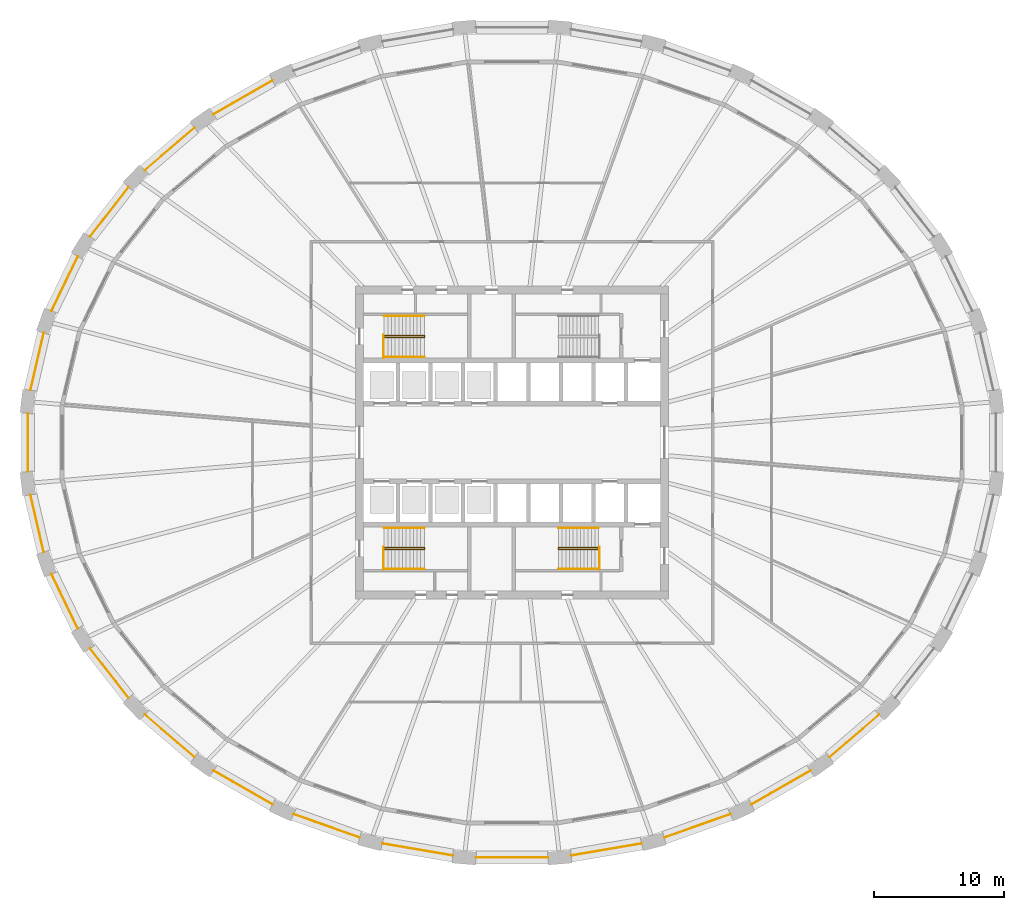
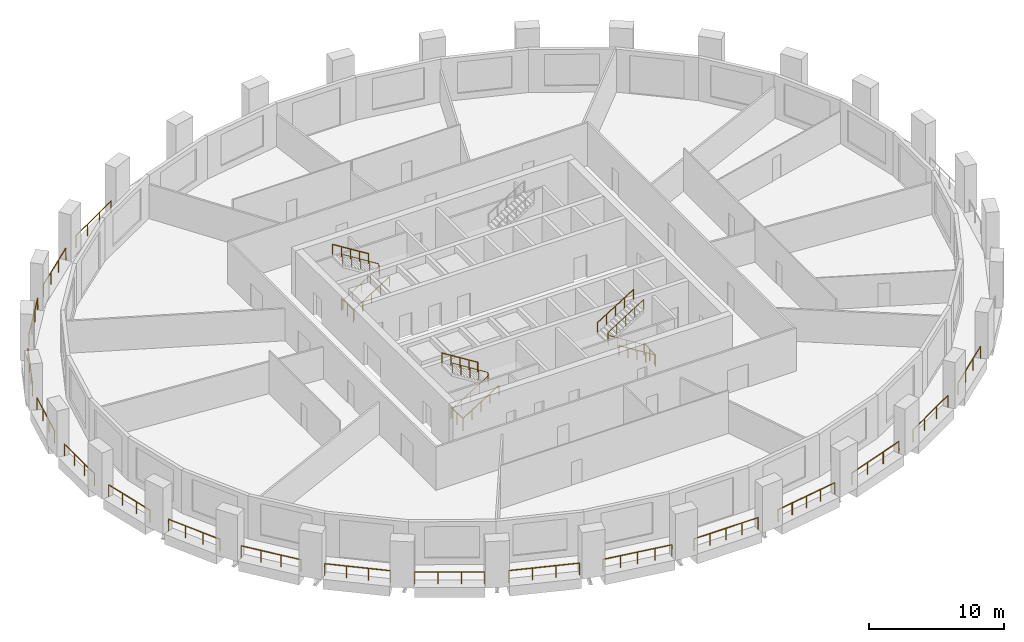
# One storey, part 8 of 10: 30 railings.
"""IFC4 building model written with IfcOpenShell, lengths in metres."""

import ifcopenshell
import ifcopenshell.guid

model = None  # the IFC model being written
_history = None  # IfcOwnerHistory: only IFC2X3 demands one
_inside = {}  # id of a spatial element -> (the spatial element, [elements in it])
_under = {}  # id of a project, library or spatial element -> (it, [spatial elements below it])
_declared = {}  # id of a project -> (the project, [libraries it declares])
_typed = {}  # id of a type object -> (the type object, [elements of that type])
_made_of = {}  # id of a material, layer set ... -> (it, [elements and type objects made of it])


def new_model(schema):
    """Start an empty IFC model of exactly this schema.

    Asked for "IFC4X3", IfcOpenShell would pick the latest addendum, in which some entities
    have other attributes; the version numbers below select the first issue.
    IFC2X3 requires an IfcOwnerHistory on every rooted entity: one is made here for all.
    """
    global model, _history
    if schema == "IFC4X3":
        model = ifcopenshell.file(schema_version=(4, 3, 0, 0))
    else:
        model = ifcopenshell.file(schema=schema)
    _inside.clear()
    _under.clear()
    _declared.clear()
    _typed.clear()
    _made_of.clear()
    _history = None
    if model.schema == "IFC2X3":
        org = make("IfcOrganization", Name="unknown")
        user = make(
            "IfcPersonAndOrganization",
            ThePerson=make("IfcPerson", FamilyName="unknown"),
            TheOrganization=org,
        )
        app = make(
            "IfcApplication",
            ApplicationDeveloper=org,
            Version="unknown",
            ApplicationFullName="unknown",
            ApplicationIdentifier="unknown",
        )
        _history = make(
            "IfcOwnerHistory",
            OwningUser=user,
            OwningApplication=app,
            ChangeAction="ADDED",
            CreationDate=0,
        )
    return model


def make(cls, **values):
    """One entity of the class cls with the attributes given. An attribute that is None is left unset."""
    return model.create_entity(
        cls, **{name: value for name, value in values.items() if value is not None}
    )


def rooted(cls, **values):
    """An entity with a GlobalId (a new one), such as an element, a storey or a relation."""
    return make(cls, GlobalId=ifcopenshell.guid.new(), OwnerHistory=_history, **values)


def si_unit(unit_type, name, prefix=None):
    """IfcSIUnit, for example si_unit("LENGTHUNIT", "METRE", prefix="MILLI")."""
    return make("IfcSIUnit", UnitType=unit_type, Prefix=prefix, Name=name)


def assignment(units):
    """IfcUnitAssignment: the units of a project."""
    return None if units is None else make("IfcUnitAssignment", Units=units)


def point(xyz):
    """IfcCartesianPoint."""
    return None if xyz is None else make("IfcCartesianPoint", Coordinates=xyz)


def direction(xyz):
    """IfcDirection."""
    return None if xyz is None else make("IfcDirection", DirectionRatios=xyz)


def frame(location, z_axis=None, x_axis=None):
    """IfcAxis2Placement3D, a coordinate frame: its origin and axes. An axis left out is left unset."""
    return make(
        "IfcAxis2Placement3D",
        Location=point(location),
        Axis=direction(z_axis),
        RefDirection=direction(x_axis),
    )


def frame_2d(location, x_axis=None):
    """IfcAxis2Placement2D, a coordinate frame in the plane: its origin and x axis."""
    return make(
        "IfcAxis2Placement2D", Location=point(location), RefDirection=direction(x_axis)
    )


def origin():
    """The frame at (0, 0, 0) with its axes left unset."""
    return frame((0.0, 0.0, 0.0))


def origin_2d():
    """The frame at (0, 0) in the plane with its x axis left unset."""
    return frame_2d((0.0, 0.0))


def place(relative_to, where):
    """IfcLocalPlacement: puts the frame where relative to a parent placement (None: the world)."""
    return make(
        "IfcLocalPlacement", PlacementRelTo=relative_to, RelativePlacement=where
    )


def context(
    kind, dimensions, precision=None, world=None, true_north=None, identifier=None
):
    """IfcGeometricRepresentationContext, for example the 3D "Model" context."""
    return make(
        "IfcGeometricRepresentationContext",
        ContextIdentifier=identifier,
        ContextType=kind,
        CoordinateSpaceDimension=dimensions,
        Precision=precision,
        WorldCoordinateSystem=world,
        TrueNorth=true_north,
    )


def subcontext(parent, identifier, kind, view, scale=None):
    """IfcGeometricRepresentationSubContext, for example "Body" below "Model"."""
    return make(
        "IfcGeometricRepresentationSubContext",
        ContextIdentifier=identifier,
        ContextType=kind,
        ParentContext=parent,
        TargetScale=scale,
        TargetView=view,
    )


def project(units=None, contexts=None):
    """IfcProject with its units and contexts."""
    return rooted(
        "IfcProject",
        Name="project",
        RepresentationContexts=contexts,
        UnitsInContext=assignment(units),
    )


def spatial(cls, under=None, at=None, **own):
    """A site, building, storey or space (cls), placed at a placement, below another one or the project."""
    s = rooted(cls, ObjectPlacement=at, **own)
    if under is not None:
        _under.setdefault(under.id(), (under, []))[1].append(s)
    return s


def profile(cls, at=None, kind="AREA", **sizes):
    """A parametric profile (cls). Its sizes go by their IFC names, for example OverallWidth=200.0."""
    return make(cls, ProfileType=kind, Position=at, **sizes)


def circle(**sizes):
    """IfcCircleProfileDef."""
    return profile("IfcCircleProfileDef", **sizes)


def extrude(swept, where, along, depth):
    """IfcExtrudedAreaSolid: the profile swept, set in the frame where, extruded along a direction by depth."""
    return make(
        "IfcExtrudedAreaSolid",
        SweptArea=swept,
        Position=where,
        ExtrudedDirection=direction(along),
        Depth=depth,
    )


def shape(context_of_items, identifier, shape_type, items):
    """IfcShapeRepresentation: the items that make up one representation, for example the "Body"."""
    return make(
        "IfcShapeRepresentation",
        ContextOfItems=context_of_items,
        RepresentationIdentifier=identifier,
        RepresentationType=shape_type,
        Items=items,
    )


def material(Name=None, Category=None):
    """IfcMaterial."""
    return make("IfcMaterial", Name=Name, Category=Category)


def made_of(thing, what):
    """Note that an element or type object is made of a material, layer set ...; save() writes the relation."""
    if what is not None:
        _made_of.setdefault(what.id(), (what, []))[1].append(thing)
    return thing


def type_object(cls, material=None, **own):
    """A type object (cls), such as IfcWallType, which elements share."""
    return made_of(rooted(cls, **own), material)


def element(
    cls,
    number,
    at=None,
    inside=None,
    cuts=None,
    type_object=None,
    material=None,
    context=None,
    identifier="Body",
    shape_type=None,
    held_by="IfcProductDefinitionShape",
    body=None,
    shapes=None,
    **own,
):
    """One element of the class cls, such as IfcWall. Its Tag is "e" and its number.

    at: its placement. inside: the storey or other place that contains it. cuts: it is an
    opening in that element (IfcRelVoidsElement). A single representation is given by context,
    identifier, shape_type and body (its items); several are given by shapes. held_by: the class
    of the entity that holds the representations. save() writes the other relations.
    """
    e = rooted(cls, Tag="e%d" % number, ObjectPlacement=at, **own)
    if body is not None:
        shapes = [shape(context, identifier, shape_type, body)]
    if shapes is not None:
        e.Representation = make(held_by, Representations=shapes)
    if inside is not None:
        _inside.setdefault(inside.id(), (inside, []))[1].append(e)
    if cuts is not None:
        rooted(
            "IfcRelVoidsElement", RelatingBuildingElement=cuts, RelatedOpeningElement=e
        )
    if type_object is not None:
        _typed.setdefault(type_object.id(), (type_object, []))[1].append(e)
    return made_of(e, material)


def aggregate(whole, parts):
    """IfcRelAggregates: a whole, such as a stair, and the parts it consists of."""
    return rooted("IfcRelAggregates", RelatingObject=whole, RelatedObjects=parts)


def save(model, path):
    """Write the relations noted so far, then the file.

    IfcRelAggregates (storeys below a building ...), IfcRelContainedInSpatialStructure (elements
    in a storey), IfcRelDefinesByType, IfcRelAssociatesMaterial and IfcRelDeclares: one each for
    every whole, place, type object, material and project.
    """
    for whole, parts in _under.values():
        aggregate(whole, parts)
    for where, things in _inside.values():
        rooted(
            "IfcRelContainedInSpatialStructure",
            RelatedElements=things,
            RelatingStructure=where,
        )
    for kind, things in _typed.values():
        rooted("IfcRelDefinesByType", RelatedObjects=things, RelatingType=kind)
    for what, things in _made_of.values():
        rooted("IfcRelAssociatesMaterial", RelatedObjects=things, RelatingMaterial=what)
    for by, libraries in _declared.values():
        rooted("IfcRelDeclares", RelatingContext=by, RelatedDefinitions=libraries)
    model.write(path)


model = new_model("IFC4")

# Units and contexts
model_context = context("Model", 3, precision=1e-05, world=origin(), true_north=direction((0.0, 1.0)))
body_context = subcontext(model_context, "Body", "Model", "MODEL_VIEW")
ifc_project = project(units=[si_unit("LENGTHUNIT", "METRE"), si_unit("AREAUNIT", "SQUARE_METRE"), si_unit("VOLUMEUNIT", "CUBIC_METRE"), si_unit("PLANEANGLEUNIT", "RADIAN"), si_unit("MASSUNIT", "GRAM", prefix="KILO")], contexts=[model_context])

# Site, building, storey
site_placement = place(None, origin())
site = spatial("IfcSite", under=ifc_project, at=site_placement, CompositionType="ELEMENT")
building_placement = place(site_placement, origin())
building = spatial("IfcBuilding", under=site, at=building_placement, Name="Halqa Exchange Tower", CompositionType="ELEMENT")
storey_placement = place(building_placement, frame((0.0, 0.0, 52.89990234375)))
storey = spatial("IfcBuildingStorey", under=building, at=storey_placement, Name="L11", CompositionType="ELEMENT", Elevation=52.89990234375)

# Railings
ifc_material = material(Name="Stainless steel", Category="steel")
railing_type_1 = type_object("IfcRailingType", Name="Guard 1100 stainless steel", PredefinedType="GUARDRAIL", material=ifc_material)
railing_1_placement = place(storey_placement, frame((-18.37158203125, 27.760986328125, 0.0)))
element("IfcRailing", 1, at=railing_1_placement, inside=storey, type_object=railing_type_1, Name="Loggia guard 11", PredefinedType="GUARDRAIL", context=body_context, shape_type="SweptSolid", body=[
    extrude(circle(Radius=0.02392578125, at=origin_2d()), frame((0.0, 0.0, 1.076171875), z_axis=(-0.867758186628, -0.496986649258, 0.0), x_axis=(0.496986649258, -0.867758186628, 0.0)), (0.0, 0.0, 1.0), 5.209228515625),
    extrude(circle(Radius=0.02099609375, at=origin_2d()), origin(), (0.0, 0.0, 1.0), 1.052001953125),
    extrude(circle(Radius=0.02099609375, at=origin_2d()), frame((-1.5068359375, -0.863037109375, 0.0)), (0.0, 0.0, 1.0), 1.052001953125),
    extrude(circle(Radius=0.02099609375, at=origin_2d()), frame((-3.013427734375, -1.725830078125, 0.0)), (0.0, 0.0, 1.0), 1.052001953125),
    extrude(circle(Radius=0.02099609375, at=origin_2d()), frame((-4.520263671875, -2.5888671875, 0.0)), (0.0, 0.0, 1.0), 1.052001953125),
])
railing_2_placement = place(storey_placement, frame((-24.356201171875, 24.138916015625, 0.0)))
element("IfcRailing", 2, at=railing_2_placement, inside=storey, type_object=railing_type_1, Name="Loggia guard 12", PredefinedType="GUARDRAIL", context=body_context, shape_type="SweptSolid", body=[
    extrude(circle(Radius=0.02392578125, at=origin_2d()), frame((0.0, 0.0, 1.076171875), z_axis=(-0.759256602365, -0.650791373456, 0.0), x_axis=(0.650791373456, -0.759256602365, 0.0)), (0.0, 0.0, 1.0), 5.0126953125),
    extrude(circle(Radius=0.02099609375, at=origin_2d()), origin(), (0.0, 0.0, 1.0), 1.052001953125),
    extrude(circle(Radius=0.02099609375, at=origin_2d()), frame((-1.2685546875, -1.08740234375, 0.0)), (0.0, 0.0, 1.0), 1.052001953125),
    extrude(circle(Radius=0.02099609375, at=origin_2d()), frame((-2.537353515625, -2.1748046875, 0.0)), (0.0, 0.0, 1.0), 1.052001953125),
    extrude(circle(Radius=0.02099609375, at=origin_2d()), frame((-3.805908203125, -3.26220703125, 0.0)), (0.0, 0.0, 1.0), 1.052001953125),
])
railing_3_placement = place(storey_placement, frame((-29.398681640625, 19.581298828125, 0.0)))
element("IfcRailing", 3, at=railing_3_placement, inside=storey, type_object=railing_type_1, Name="Loggia guard 13", PredefinedType="GUARDRAIL", context=body_context, shape_type="SweptSolid", body=[
    extrude(circle(Radius=0.02392578125, at=origin_2d()), frame((0.0, 0.0, 1.076171875), z_axis=(-0.61480458382, -0.788679480977, 0.0), x_axis=(0.788679480977, -0.61480458382, 0.0)), (0.0, 0.0, 1.0), 4.810546875),
    extrude(circle(Radius=0.02099609375, at=origin_2d()), origin(), (0.0, 0.0, 1.0), 1.052001953125),
    extrude(circle(Radius=0.02099609375, at=origin_2d()), frame((-0.98583984375, -1.2646484375, 0.0)), (0.0, 0.0, 1.0), 1.052001953125),
    extrude(circle(Radius=0.02099609375, at=origin_2d()), frame((-1.9716796875, -2.529296875, 0.0)), (0.0, 0.0, 1.0), 1.052001953125),
    extrude(circle(Radius=0.02099609375, at=origin_2d()), frame((-2.95751953125, -3.7939453125, 0.0)), (0.0, 0.0, 1.0), 1.052001953125),
])
railing_4_placement = place(storey_placement, frame((-33.30126953125, 14.267333984375, 0.0)))
element("IfcRailing", 4, at=railing_4_placement, inside=storey, type_object=railing_type_1, Name="Loggia guard 14", PredefinedType="GUARDRAIL", context=body_context, shape_type="SweptSolid", body=[
    extrude(circle(Radius=0.02392578125, at=origin_2d()), frame((0.0, 0.0, 1.076171875), z_axis=(-0.435096763468, -0.900383699552, 0.0), x_axis=(0.900383699552, -0.435096763468, 0.0)), (0.0, 0.0, 1.0), 4.6337890625),
    extrude(circle(Radius=0.02099609375, at=origin_2d()), origin(), (0.0, 0.0, 1.0), 1.052001953125),
    extrude(circle(Radius=0.02099609375, at=origin_2d()), frame((-0.672119140625, -1.390625, 0.0)), (0.0, 0.0, 1.0), 1.052001953125),
    extrude(circle(Radius=0.02099609375, at=origin_2d()), frame((-1.343994140625, -2.781494140625, 0.0)), (0.0, 0.0, 1.0), 1.052001953125),
    extrude(circle(Radius=0.02099609375, at=origin_2d()), frame((-2.01611328125, -4.172119140625, 0.0)), (0.0, 0.0, 1.0), 1.052001953125),
])
railing_5_placement = place(storey_placement, frame((-35.912353515625, 8.408203125, 0.0)))
element("IfcRailing", 5, at=railing_5_placement, inside=storey, type_object=railing_type_1, Name="Loggia guard 15", PredefinedType="GUARDRAIL", context=body_context, shape_type="SweptSolid", body=[
    extrude(circle(Radius=0.02392578125, at=origin_2d()), frame((0.0, 0.0, 1.076171875), z_axis=(-0.226056381748, -0.974114219315, 0.0), x_axis=(0.974114219315, -0.226056381748, 0.0)), (0.0, 0.0, 1.0), 4.513427734375),
    extrude(circle(Radius=0.02099609375, at=origin_2d()), origin(), (0.0, 0.0, 1.0), 1.052001953125),
    extrude(circle(Radius=0.02099609375, at=origin_2d()), frame((-0.340087890625, -1.465576171875, 0.0)), (0.0, 0.0, 1.0), 1.052001953125),
    extrude(circle(Radius=0.02099609375, at=origin_2d()), frame((-0.68017578125, -2.930908203125, 0.0)), (0.0, 0.0, 1.0), 1.052001953125),
    extrude(circle(Radius=0.02099609375, at=origin_2d()), frame((-1.020263671875, -4.396484375, 0.0)), (0.0, 0.0, 1.0), 1.052001953125),
])
railing_6_placement = place(storey_placement, frame((-37.135986328125, 2.235107421875, 0.0)))
element("IfcRailing", 6, at=railing_6_placement, inside=storey, type_object=railing_type_1, Name="Loggia guard 16", PredefinedType="GUARDRAIL", context=body_context, shape_type="SweptSolid", body=[
    extrude(circle(Radius=0.02392578125, at=origin_2d()), frame((0.0, 0.0, 1.076171875), z_axis=(0.0, -1.0, 0.0), x_axis=(1.0, 0.0, 0.0)), (0.0, 0.0, 1.0), 4.47021484375),
    extrude(circle(Radius=0.02099609375, at=origin_2d()), origin(), (0.0, 0.0, 1.0), 1.052001953125),
    extrude(circle(Radius=0.02099609375, at=origin_2d()), frame((0.0, -1.489990234375, 0.0)), (0.0, 0.0, 1.0), 1.052001953125),
    extrude(circle(Radius=0.02099609375, at=origin_2d()), frame((0.0, -2.980224609375, 0.0)), (0.0, 0.0, 1.0), 1.052001953125),
    extrude(circle(Radius=0.02099609375, at=origin_2d()), frame((0.0, -4.47021484375, 0.0)), (0.0, 0.0, 1.0), 1.052001953125),
])
railing_7_placement = place(storey_placement, frame((-36.9326171875, -4.01171875, 0.0)))
element("IfcRailing", 7, at=railing_7_placement, inside=storey, type_object=railing_type_1, Name="Loggia guard 17", PredefinedType="GUARDRAIL", context=body_context, shape_type="SweptSolid", body=[
    extrude(circle(Radius=0.02392578125, at=origin_2d()), frame((0.0, 0.0, 1.076171875), z_axis=(0.226056381748, -0.974114219315, 0.0), x_axis=(0.974114219315, 0.226056381748, 0.0)), (0.0, 0.0, 1.0), 4.513427734375),
    extrude(circle(Radius=0.02099609375, at=origin_2d()), origin(), (0.0, 0.0, 1.0), 1.052001953125),
    extrude(circle(Radius=0.02099609375, at=origin_2d()), frame((0.340087890625, -1.465576171875, 0.0)), (0.0, 0.0, 1.0), 1.052001953125),
    extrude(circle(Radius=0.02099609375, at=origin_2d()), frame((0.68017578125, -2.930908203125, 0.0)), (0.0, 0.0, 1.0), 1.052001953125),
    extrude(circle(Radius=0.02099609375, at=origin_2d()), frame((1.020263671875, -4.396484375, 0.0)), (0.0, 0.0, 1.0), 1.052001953125),
])
railing_8_placement = place(storey_placement, frame((-35.3173828125, -10.09521484375, 0.0)))
element("IfcRailing", 8, at=railing_8_placement, inside=storey, type_object=railing_type_1, Name="Loggia guard 18", PredefinedType="GUARDRAIL", context=body_context, shape_type="SweptSolid", body=[
    extrude(circle(Radius=0.02392578125, at=origin_2d()), frame((0.0, 0.0, 1.076171875), z_axis=(0.435096763468, -0.900383699552, 0.0), x_axis=(0.900383699552, 0.435096763468, 0.0)), (0.0, 0.0, 1.0), 4.6337890625),
    extrude(circle(Radius=0.02099609375, at=origin_2d()), origin(), (0.0, 0.0, 1.0), 1.052001953125),
    extrude(circle(Radius=0.02099609375, at=origin_2d()), frame((0.672119140625, -1.390625, 0.0)), (0.0, 0.0, 1.0), 1.052001953125),
    extrude(circle(Radius=0.02099609375, at=origin_2d()), frame((1.343994140625, -2.781494140625, 0.0)), (0.0, 0.0, 1.0), 1.052001953125),
    extrude(circle(Radius=0.02099609375, at=origin_2d()), frame((2.01611328125, -4.172119140625, 0.0)), (0.0, 0.0, 1.0), 1.052001953125),
])
railing_9_placement = place(storey_placement, frame((-32.356201171875, -15.787353515625, 0.0)))
element("IfcRailing", 9, at=railing_9_placement, inside=storey, type_object=railing_type_1, Name="Loggia guard 19", PredefinedType="GUARDRAIL", context=body_context, shape_type="SweptSolid", body=[
    extrude(circle(Radius=0.02392578125, at=origin_2d()), frame((0.0, 0.0, 1.076171875), z_axis=(0.61480458382, -0.788679480977, 0.0), x_axis=(0.788679480977, 0.61480458382, 0.0)), (0.0, 0.0, 1.0), 4.810546875),
    extrude(circle(Radius=0.02099609375, at=origin_2d()), origin(), (0.0, 0.0, 1.0), 1.052001953125),
    extrude(circle(Radius=0.02099609375, at=origin_2d()), frame((0.98583984375, -1.2646484375, 0.0)), (0.0, 0.0, 1.0), 1.052001953125),
    extrude(circle(Radius=0.02099609375, at=origin_2d()), frame((1.9716796875, -2.529296875, 0.0)), (0.0, 0.0, 1.0), 1.052001953125),
    extrude(circle(Radius=0.02099609375, at=origin_2d()), frame((2.95751953125, -3.7939453125, 0.0)), (0.0, 0.0, 1.0), 1.052001953125),
])
railing_10_placement = place(storey_placement, frame((-28.162109375, -20.876708984375, 0.0)))
element("IfcRailing", 10, at=railing_10_placement, inside=storey, type_object=railing_type_1, Name="Loggia guard 20", PredefinedType="GUARDRAIL", context=body_context, shape_type="SweptSolid", body=[
    extrude(circle(Radius=0.02392578125, at=origin_2d()), frame((0.0, 0.0, 1.076171875), z_axis=(0.759256602365, -0.650791373456, 0.0), x_axis=(0.650791373456, 0.759256602365, 0.0)), (0.0, 0.0, 1.0), 5.0126953125),
    extrude(circle(Radius=0.02099609375, at=origin_2d()), origin(), (0.0, 0.0, 1.0), 1.052001953125),
    extrude(circle(Radius=0.02099609375, at=origin_2d()), frame((1.2685546875, -1.08740234375, 0.0)), (0.0, 0.0, 1.0), 1.052001953125),
    extrude(circle(Radius=0.02099609375, at=origin_2d()), frame((2.537353515625, -2.1748046875, 0.0)), (0.0, 0.0, 1.0), 1.052001953125),
    extrude(circle(Radius=0.02099609375, at=origin_2d()), frame((3.805908203125, -3.26220703125, 0.0)), (0.0, 0.0, 1.0), 1.052001953125),
])
railing_11_placement = place(storey_placement, frame((-22.891845703125, -25.172119140625, 0.0)))
element("IfcRailing", 11, at=railing_11_placement, inside=storey, type_object=railing_type_1, Name="Loggia guard 21", PredefinedType="GUARDRAIL", context=body_context, shape_type="SweptSolid", body=[
    extrude(circle(Radius=0.02392578125, at=origin_2d()), frame((0.0, 0.0, 1.076171875), z_axis=(0.867758186628, -0.496986649258, 0.0), x_axis=(0.496986649258, 0.867758186628, 0.0)), (0.0, 0.0, 1.0), 5.209228515625),
    extrude(circle(Radius=0.02099609375, at=origin_2d()), origin(), (0.0, 0.0, 1.0), 1.052001953125),
    extrude(circle(Radius=0.02099609375, at=origin_2d()), frame((1.5068359375, -0.863037109375, 0.0)), (0.0, 0.0, 1.0), 1.052001953125),
    extrude(circle(Radius=0.02099609375, at=origin_2d()), frame((3.013427734375, -1.725830078125, 0.0)), (0.0, 0.0, 1.0), 1.052001953125),
    extrude(circle(Radius=0.02099609375, at=origin_2d()), frame((4.520263671875, -2.5888671875, 0.0)), (0.0, 0.0, 1.0), 1.052001953125),
])
railing_12_placement = place(storey_placement, frame((-16.742431640625, -28.509521484375, 0.0)))
element("IfcRailing", 12, at=railing_12_placement, inside=storey, type_object=railing_type_1, Name="Loggia guard 22", PredefinedType="GUARDRAIL", context=body_context, shape_type="SweptSolid", body=[
    extrude(circle(Radius=0.02392578125, at=origin_2d()), frame((0.0, 0.0, 1.076171875), z_axis=(0.942373671262, -0.334562197075, 0.0), x_axis=(0.334562197075, 0.942373671262, 0.0)), (0.0, 0.0, 1.0), 5.37158203125),
    extrude(circle(Radius=0.02099609375, at=origin_2d()), origin(), (0.0, 0.0, 1.0), 1.052001953125),
    extrude(circle(Radius=0.02099609375, at=origin_2d()), frame((1.687255859375, -0.59912109375, 0.0)), (0.0, 0.0, 1.0), 1.052001953125),
    extrude(circle(Radius=0.02099609375, at=origin_2d()), frame((3.374755859375, -1.197998046875, 0.0)), (0.0, 0.0, 1.0), 1.052001953125),
    extrude(circle(Radius=0.02099609375, at=origin_2d()), frame((5.06201171875, -1.797119140625, 0.0)), (0.0, 0.0, 1.0), 1.052001953125),
])
railing_13_placement = place(storey_placement, frame((-9.945068359375, -30.759033203125, 0.0)))
element("IfcRailing", 13, at=railing_13_placement, inside=storey, type_object=railing_type_1, Name="Loggia guard 23", PredefinedType="GUARDRAIL", context=body_context, shape_type="SweptSolid", body=[
    extrude(circle(Radius=0.02392578125, at=origin_2d()), frame((0.0, 0.0, 1.076171875), z_axis=(0.985776430596, -0.168061979284, 0.0), x_axis=(0.168061979284, 0.985776430596, 0.0)), (0.0, 0.0, 1.0), 5.47802734375),
    extrude(circle(Radius=0.02099609375, at=origin_2d()), origin(), (0.0, 0.0, 1.0), 1.052001953125),
    extrude(circle(Radius=0.02099609375, at=origin_2d()), frame((1.35009765625, -0.230224609375, 0.0)), (0.0, 0.0, 1.0), 1.052001953125),
    extrude(circle(Radius=0.02099609375, at=origin_2d()), frame((2.7001953125, -0.46044921875, 0.0)), (0.0, 0.0, 1.0), 1.052001953125),
    extrude(circle(Radius=0.02099609375, at=origin_2d()), frame((4.050048828125, -0.6904296875, 0.0)), (0.0, 0.0, 1.0), 1.052001953125),
    extrude(circle(Radius=0.02099609375, at=origin_2d()), frame((5.400146484375, -0.920654296875, 0.0)), (0.0, 0.0, 1.0), 1.052001953125),
])
railing_14_placement = place(storey_placement, frame((-2.757568359375, -31.8310546875, 0.0)))
element("IfcRailing", 14, at=railing_14_placement, inside=storey, type_object=railing_type_1, Name="Loggia guard 24", PredefinedType="GUARDRAIL", context=body_context, shape_type="SweptSolid", body=[
    extrude(circle(Radius=0.02392578125, at=origin_2d()), frame((0.0, 0.0, 1.076171875), z_axis=(1.0, 0.0, 0.0), x_axis=(0.0, 1.0, 0.0)), (0.0, 0.0, 1.0), 5.51513671875),
    extrude(circle(Radius=0.02099609375, at=origin_2d()), origin(), (0.0, 0.0, 1.0), 1.052001953125),
    extrude(circle(Radius=0.02099609375, at=origin_2d()), frame((1.37890625, 0.0, 0.0)), (0.0, 0.0, 1.0), 1.052001953125),
    extrude(circle(Radius=0.02099609375, at=origin_2d()), frame((2.757568359375, 0.0, 0.0)), (0.0, 0.0, 1.0), 1.052001953125),
    extrude(circle(Radius=0.02099609375, at=origin_2d()), frame((4.13623046875, 0.0, 0.0)), (0.0, 0.0, 1.0), 1.052001953125),
    extrude(circle(Radius=0.02099609375, at=origin_2d()), frame((5.51513671875, 0.0, 0.0)), (0.0, 0.0, 1.0), 1.052001953125),
])
railing_15_placement = place(storey_placement, frame((4.544921875, -31.6796875, 0.0)))
element("IfcRailing", 15, at=railing_15_placement, inside=storey, type_object=railing_type_1, Name="Loggia guard 25", PredefinedType="GUARDRAIL", context=body_context, shape_type="SweptSolid", body=[
    extrude(circle(Radius=0.02392578125, at=origin_2d()), frame((0.0, 0.0, 1.076171875), z_axis=(0.985776430596, 0.168061979284, 0.0), x_axis=(-0.168061979284, 0.985776430596, 0.0)), (0.0, 0.0, 1.0), 5.47802734375),
    extrude(circle(Radius=0.02099609375, at=origin_2d()), origin(), (0.0, 0.0, 1.0), 1.052001953125),
    extrude(circle(Radius=0.02099609375, at=origin_2d()), frame((1.35009765625, 0.230224609375, 0.0)), (0.0, 0.0, 1.0), 1.052001953125),
    extrude(circle(Radius=0.02099609375, at=origin_2d()), frame((2.7001953125, 0.46044921875, 0.0)), (0.0, 0.0, 1.0), 1.052001953125),
    extrude(circle(Radius=0.02099609375, at=origin_2d()), frame((4.050048828125, 0.6904296875, 0.0)), (0.0, 0.0, 1.0), 1.052001953125),
    extrude(circle(Radius=0.02099609375, at=origin_2d()), frame((5.400146484375, 0.920654296875, 0.0)), (0.0, 0.0, 1.0), 1.052001953125),
])
railing_16_placement = place(storey_placement, frame((11.680419921875, -30.306640625, 0.0)))
element("IfcRailing", 16, at=railing_16_placement, inside=storey, type_object=railing_type_1, Name="Loggia guard 26", PredefinedType="GUARDRAIL", context=body_context, shape_type="SweptSolid", body=[
    extrude(circle(Radius=0.02392578125, at=origin_2d()), frame((0.0, 0.0, 1.076171875), z_axis=(0.942373671262, 0.334562197075, 0.0), x_axis=(-0.334562197075, 0.942373671262, 0.0)), (0.0, 0.0, 1.0), 5.37158203125),
    extrude(circle(Radius=0.02099609375, at=origin_2d()), origin(), (0.0, 0.0, 1.0), 1.052001953125),
    extrude(circle(Radius=0.02099609375, at=origin_2d()), frame((1.687255859375, 0.59912109375, 0.0)), (0.0, 0.0, 1.0), 1.052001953125),
    extrude(circle(Radius=0.02099609375, at=origin_2d()), frame((3.374755859375, 1.197998046875, 0.0)), (0.0, 0.0, 1.0), 1.052001953125),
    extrude(circle(Radius=0.02099609375, at=origin_2d()), frame((5.06201171875, 1.797119140625, 0.0)), (0.0, 0.0, 1.0), 1.052001953125),
])
railing_17_placement = place(storey_placement, frame((18.37158203125, -27.760986328125, 0.0)))
element("IfcRailing", 17, at=railing_17_placement, inside=storey, type_object=railing_type_1, Name="Loggia guard 27", PredefinedType="GUARDRAIL", context=body_context, shape_type="SweptSolid", body=[
    extrude(circle(Radius=0.02392578125, at=origin_2d()), frame((0.0, 0.0, 1.076171875), z_axis=(0.867758186628, 0.496986649258, 0.0), x_axis=(-0.496986649258, 0.867758186628, 0.0)), (0.0, 0.0, 1.0), 5.209228515625),
    extrude(circle(Radius=0.02099609375, at=origin_2d()), origin(), (0.0, 0.0, 1.0), 1.052001953125),
    extrude(circle(Radius=0.02099609375, at=origin_2d()), frame((1.5068359375, 0.863037109375, 0.0)), (0.0, 0.0, 1.0), 1.052001953125),
    extrude(circle(Radius=0.02099609375, at=origin_2d()), frame((3.013427734375, 1.725830078125, 0.0)), (0.0, 0.0, 1.0), 1.052001953125),
    extrude(circle(Radius=0.02099609375, at=origin_2d()), frame((4.520263671875, 2.5888671875, 0.0)), (0.0, 0.0, 1.0), 1.052001953125),
])
railing_18_placement = place(storey_placement, frame((24.356201171875, -24.138916015625, 0.0)))
element("IfcRailing", 18, at=railing_18_placement, inside=storey, type_object=railing_type_1, Name="Loggia guard 28", PredefinedType="GUARDRAIL", context=body_context, shape_type="SweptSolid", body=[
    extrude(circle(Radius=0.02392578125, at=origin_2d()), frame((0.0, 0.0, 1.076171875), z_axis=(0.759256602365, 0.650791373456, 0.0), x_axis=(-0.650791373456, 0.759256602365, 0.0)), (0.0, 0.0, 1.0), 5.0126953125),
    extrude(circle(Radius=0.02099609375, at=origin_2d()), origin(), (0.0, 0.0, 1.0), 1.052001953125),
    extrude(circle(Radius=0.02099609375, at=origin_2d()), frame((1.2685546875, 1.08740234375, 0.0)), (0.0, 0.0, 1.0), 1.052001953125),
    extrude(circle(Radius=0.02099609375, at=origin_2d()), frame((2.537353515625, 2.1748046875, 0.0)), (0.0, 0.0, 1.0), 1.052001953125),
    extrude(circle(Radius=0.02099609375, at=origin_2d()), frame((3.805908203125, 3.26220703125, 0.0)), (0.0, 0.0, 1.0), 1.052001953125),
])
railing_type_2 = type_object("IfcRailingType", Name="Stair handrail 900", PredefinedType="HANDRAIL", material=ifc_material)
railing_19_placement = place(storey_placement, frame((-9.800048828125, 8.06005859375, 0.175048828125)))
element("IfcRailing", 19, at=railing_19_placement, inside=storey, type_object=railing_type_2, Name="Handrail ST1.1", PredefinedType="HANDRAIL", context=body_context, shape_type="SweptSolid", body=[
    extrude(circle(Radius=0.02392578125, at=origin_2d()), frame((0.0, 0.0, 0.8759765625), z_axis=(0.847998304005, 0.0, 0.529998940003), x_axis=(0.0, 1.0, 0.0)), (0.0, 0.0, 1.0), 3.632080078125),
    extrude(circle(Radius=0.02392578125, at=origin_2d()), frame((3.080078125, 0.0, 2.80078125), z_axis=(0.0, 0.595870227118, 0.803080738428), x_axis=(-1.0, 0.0, 0.0)), (0.0, 0.0, 1.0), 0.218017578125),
    extrude(circle(Radius=0.02392578125, at=origin_2d()), frame((3.080078125, 0.1298828125, 2.97607421875), z_axis=(-0.847998304005, 0.0, 0.529998940003), x_axis=(0.0, -1.0, 0.0)), (0.0, 0.0, 1.0), 3.632080078125),
    extrude(circle(Radius=0.02099609375, at=origin_2d()), origin(), (0.0, 0.0, 1.0), 0.851806640625),
    extrude(circle(Radius=0.02099609375, at=origin_2d()), frame((0.77001953125, 0.0, 0.481201171875)), (0.0, 0.0, 1.0), 0.851806640625),
    extrude(circle(Radius=0.02099609375, at=origin_2d()), frame((1.5400390625, 0.0, 0.96240234375)), (0.0, 0.0, 1.0), 0.851806640625),
    extrude(circle(Radius=0.02099609375, at=origin_2d()), frame((2.31005859375, 0.0, 1.44384765625)), (0.0, 0.0, 1.0), 0.851806640625),
    extrude(circle(Radius=0.02099609375, at=origin_2d()), frame((3.080078125, 0.0, 1.925048828125)), (0.0, 0.0, 1.0), 0.851806640625),
    extrude(circle(Radius=0.02099609375, at=origin_2d()), frame((3.080078125, 0.1298828125, 2.10009765625)), (0.0, 0.0, 1.0), 0.851806640625),
    extrude(circle(Radius=0.02099609375, at=origin_2d()), frame((2.31005859375, 0.1298828125, 2.581298828125)), (0.0, 0.0, 1.0), 0.851806640625),
    extrude(circle(Radius=0.02099609375, at=origin_2d()), frame((1.5400390625, 0.1298828125, 3.0625)), (0.0, 0.0, 1.0), 0.851806640625),
    extrude(circle(Radius=0.02099609375, at=origin_2d()), frame((0.77001953125, 0.1298828125, 3.5439453125)), (0.0, 0.0, 1.0), 0.851806640625),
    extrude(circle(Radius=0.02099609375, at=origin_2d()), frame((0.0, 0.1298828125, 4.025146484375)), (0.0, 0.0, 1.0), 0.851806640625),
])
railing_20_placement = place(storey_placement, frame((-9.800048828125, 6.550048828125, 0.175048828125)))
element("IfcRailing", 20, at=railing_20_placement, inside=storey, type_object=railing_type_2, Name="Handrail ST1.2", PredefinedType="HANDRAIL", context=body_context, shape_type="SweptSolid", body=[
    extrude(circle(Radius=0.02392578125, at=origin_2d()), frame((0.0, 0.0, 0.8759765625), z_axis=(0.847998304005, 0.0, 0.529998940003), x_axis=(0.0, 1.0, 0.0)), (0.0, 0.0, 1.0), 3.632080078125),
    extrude(circle(Radius=0.02099609375, at=origin_2d()), origin(), (0.0, 0.0, 1.0), 0.851806640625),
    extrude(circle(Radius=0.02099609375, at=origin_2d()), frame((0.77001953125, 0.0, 0.481201171875)), (0.0, 0.0, 1.0), 0.851806640625),
    extrude(circle(Radius=0.02099609375, at=origin_2d()), frame((1.5400390625, 0.0, 0.96240234375)), (0.0, 0.0, 1.0), 0.851806640625),
    extrude(circle(Radius=0.02099609375, at=origin_2d()), frame((2.31005859375, 0.0, 1.44384765625)), (0.0, 0.0, 1.0), 0.851806640625),
    extrude(circle(Radius=0.02099609375, at=origin_2d()), frame((3.080078125, 0.0, 1.925048828125)), (0.0, 0.0, 1.0), 0.851806640625),
])
railing_21_placement = place(storey_placement, frame((-6.719970703125, 9.699951171875, 2.275146484375)))
element("IfcRailing", 21, at=railing_21_placement, inside=storey, type_object=railing_type_2, Name="Handrail ST1.3", PredefinedType="HANDRAIL", context=body_context, shape_type="SweptSolid", body=[
    extrude(circle(Radius=0.02392578125, at=origin_2d()), frame((0.0, 0.0, 0.8759765625), z_axis=(-0.847998304005, 0.0, 0.529998940003), x_axis=(0.0, -1.0, 0.0)), (0.0, 0.0, 1.0), 3.632080078125),
    extrude(circle(Radius=0.02099609375, at=origin_2d()), origin(), (0.0, 0.0, 1.0), 0.851806640625),
    extrude(circle(Radius=0.02099609375, at=origin_2d()), frame((-0.77001953125, 0.0, 0.481201171875)), (0.0, 0.0, 1.0), 0.851806640625),
    extrude(circle(Radius=0.02099609375, at=origin_2d()), frame((-1.5400390625, 0.0, 0.96240234375)), (0.0, 0.0, 1.0), 0.851806640625),
    extrude(circle(Radius=0.02099609375, at=origin_2d()), frame((-2.31005859375, 0.0, 1.44384765625)), (0.0, 0.0, 1.0), 0.851806640625),
    extrude(circle(Radius=0.02099609375, at=origin_2d()), frame((-3.080078125, 0.0, 1.925048828125)), (0.0, 0.0, 1.0), 0.851806640625),
])
railing_22_placement = place(storey_placement, frame((-9.800048828125, -8.18994140625, 0.175048828125)))
element("IfcRailing", 22, at=railing_22_placement, inside=storey, type_object=railing_type_2, Name="Handrail ST3.1", PredefinedType="HANDRAIL", context=body_context, shape_type="SweptSolid", body=[
    extrude(circle(Radius=0.02392578125, at=origin_2d()), frame((0.0, 0.0, 0.8759765625), z_axis=(0.847998304005, 0.0, 0.529998940003), x_axis=(0.0, 1.0, 0.0)), (0.0, 0.0, 1.0), 3.632080078125),
    extrude(circle(Radius=0.02392578125, at=origin_2d()), frame((3.080078125, 0.0, 2.80078125), z_axis=(0.0, 0.595870227118, 0.803080738428), x_axis=(-1.0, 0.0, 0.0)), (0.0, 0.0, 1.0), 0.218017578125),
    extrude(circle(Radius=0.02392578125, at=origin_2d()), frame((3.080078125, 0.1298828125, 2.97607421875), z_axis=(-0.847998304005, 0.0, 0.529998940003), x_axis=(0.0, -1.0, 0.0)), (0.0, 0.0, 1.0), 3.632080078125),
    extrude(circle(Radius=0.02099609375, at=origin_2d()), origin(), (0.0, 0.0, 1.0), 0.851806640625),
    extrude(circle(Radius=0.02099609375, at=origin_2d()), frame((0.77001953125, 0.0, 0.481201171875)), (0.0, 0.0, 1.0), 0.851806640625),
    extrude(circle(Radius=0.02099609375, at=origin_2d()), frame((1.5400390625, 0.0, 0.96240234375)), (0.0, 0.0, 1.0), 0.851806640625),
    extrude(circle(Radius=0.02099609375, at=origin_2d()), frame((2.31005859375, 0.0, 1.44384765625)), (0.0, 0.0, 1.0), 0.851806640625),
    extrude(circle(Radius=0.02099609375, at=origin_2d()), frame((3.080078125, 0.0, 1.925048828125)), (0.0, 0.0, 1.0), 0.851806640625),
    extrude(circle(Radius=0.02099609375, at=origin_2d()), frame((3.080078125, 0.1298828125, 2.10009765625)), (0.0, 0.0, 1.0), 0.851806640625),
    extrude(circle(Radius=0.02099609375, at=origin_2d()), frame((2.31005859375, 0.1298828125, 2.581298828125)), (0.0, 0.0, 1.0), 0.851806640625),
    extrude(circle(Radius=0.02099609375, at=origin_2d()), frame((1.5400390625, 0.1298828125, 3.0625)), (0.0, 0.0, 1.0), 0.851806640625),
    extrude(circle(Radius=0.02099609375, at=origin_2d()), frame((0.77001953125, 0.1298828125, 3.5439453125)), (0.0, 0.0, 1.0), 0.851806640625),
    extrude(circle(Radius=0.02099609375, at=origin_2d()), frame((0.0, 0.1298828125, 4.025146484375)), (0.0, 0.0, 1.0), 0.851806640625),
])
railing_23_placement = place(storey_placement, frame((-9.800048828125, -9.699951171875, 0.175048828125)))
element("IfcRailing", 23, at=railing_23_placement, inside=storey, type_object=railing_type_2, Name="Handrail ST3.2", PredefinedType="HANDRAIL", context=body_context, shape_type="SweptSolid", body=[
    extrude(circle(Radius=0.02392578125, at=origin_2d()), frame((0.0, 0.0, 0.8759765625), z_axis=(0.847998304005, 0.0, 0.529998940003), x_axis=(0.0, 1.0, 0.0)), (0.0, 0.0, 1.0), 3.632080078125),
    extrude(circle(Radius=0.02099609375, at=origin_2d()), origin(), (0.0, 0.0, 1.0), 0.851806640625),
    extrude(circle(Radius=0.02099609375, at=origin_2d()), frame((0.77001953125, 0.0, 0.481201171875)), (0.0, 0.0, 1.0), 0.851806640625),
    extrude(circle(Radius=0.02099609375, at=origin_2d()), frame((1.5400390625, 0.0, 0.96240234375)), (0.0, 0.0, 1.0), 0.851806640625),
    extrude(circle(Radius=0.02099609375, at=origin_2d()), frame((2.31005859375, 0.0, 1.44384765625)), (0.0, 0.0, 1.0), 0.851806640625),
    extrude(circle(Radius=0.02099609375, at=origin_2d()), frame((3.080078125, 0.0, 1.925048828125)), (0.0, 0.0, 1.0), 0.851806640625),
])
railing_24_placement = place(storey_placement, frame((-6.719970703125, -6.550048828125, 2.275146484375)))
element("IfcRailing", 24, at=railing_24_placement, inside=storey, type_object=railing_type_2, Name="Handrail ST3.3", PredefinedType="HANDRAIL", context=body_context, shape_type="SweptSolid", body=[
    extrude(circle(Radius=0.02392578125, at=origin_2d()), frame((0.0, 0.0, 0.8759765625), z_axis=(-0.847998304005, 0.0, 0.529998940003), x_axis=(0.0, -1.0, 0.0)), (0.0, 0.0, 1.0), 3.632080078125),
    extrude(circle(Radius=0.02099609375, at=origin_2d()), origin(), (0.0, 0.0, 1.0), 0.851806640625),
    extrude(circle(Radius=0.02099609375, at=origin_2d()), frame((-0.77001953125, 0.0, 0.481201171875)), (0.0, 0.0, 1.0), 0.851806640625),
    extrude(circle(Radius=0.02099609375, at=origin_2d()), frame((-1.5400390625, 0.0, 0.96240234375)), (0.0, 0.0, 1.0), 0.851806640625),
    extrude(circle(Radius=0.02099609375, at=origin_2d()), frame((-2.31005859375, 0.0, 1.44384765625)), (0.0, 0.0, 1.0), 0.851806640625),
    extrude(circle(Radius=0.02099609375, at=origin_2d()), frame((-3.080078125, 0.0, 1.925048828125)), (0.0, 0.0, 1.0), 0.851806640625),
])
railing_25_placement = place(storey_placement, frame((6.64990234375, -8.18994140625, 0.175048828125)))
element("IfcRailing", 25, at=railing_25_placement, inside=storey, type_object=railing_type_2, Name="Handrail ST4.1", PredefinedType="HANDRAIL", context=body_context, shape_type="SweptSolid", body=[
    extrude(circle(Radius=0.02392578125, at=origin_2d()), frame((0.0, 0.0, 0.8759765625), z_axis=(-0.847979421464, 0.0, 0.530029150871), x_axis=(0.0, -1.0, 0.0)), (0.0, 0.0, 1.0), 3.632080078125),
    extrude(circle(Radius=0.02392578125, at=origin_2d()), frame((-3.079833984375, 0.0, 2.80078125), z_axis=(0.0, 0.595870227118, 0.803080738428), x_axis=(-1.0, 0.0, 0.0)), (0.0, 0.0, 1.0), 0.218017578125),
    extrude(circle(Radius=0.02392578125, at=origin_2d()), frame((-3.079833984375, 0.1298828125, 2.97607421875), z_axis=(0.847979421464, 0.0, 0.530029150871), x_axis=(0.0, 1.0, 0.0)), (0.0, 0.0, 1.0), 3.632080078125),
    extrude(circle(Radius=0.02099609375, at=origin_2d()), origin(), (0.0, 0.0, 1.0), 0.851806640625),
    extrude(circle(Radius=0.02099609375, at=origin_2d()), frame((-0.77001953125, 0.0, 0.481201171875)), (0.0, 0.0, 1.0), 0.851806640625),
    extrude(circle(Radius=0.02099609375, at=origin_2d()), frame((-1.5400390625, 0.0, 0.96240234375)), (0.0, 0.0, 1.0), 0.851806640625),
    extrude(circle(Radius=0.02099609375, at=origin_2d()), frame((-2.309814453125, 0.0, 1.44384765625)), (0.0, 0.0, 1.0), 0.851806640625),
    extrude(circle(Radius=0.02099609375, at=origin_2d()), frame((-3.079833984375, 0.0, 1.925048828125)), (0.0, 0.0, 1.0), 0.851806640625),
    extrude(circle(Radius=0.02099609375, at=origin_2d()), frame((-3.079833984375, 0.1298828125, 2.10009765625)), (0.0, 0.0, 1.0), 0.851806640625),
    extrude(circle(Radius=0.02099609375, at=origin_2d()), frame((-2.309814453125, 0.1298828125, 2.581298828125)), (0.0, 0.0, 1.0), 0.851806640625),
    extrude(circle(Radius=0.02099609375, at=origin_2d()), frame((-1.5400390625, 0.1298828125, 3.0625)), (0.0, 0.0, 1.0), 0.851806640625),
    extrude(circle(Radius=0.02099609375, at=origin_2d()), frame((-0.77001953125, 0.1298828125, 3.5439453125)), (0.0, 0.0, 1.0), 0.851806640625),
    extrude(circle(Radius=0.02099609375, at=origin_2d()), frame((0.0, 0.1298828125, 4.025146484375)), (0.0, 0.0, 1.0), 0.851806640625),
])
railing_26_placement = place(storey_placement, frame((6.64990234375, -9.699951171875, 0.175048828125)))
element("IfcRailing", 26, at=railing_26_placement, inside=storey, type_object=railing_type_2, Name="Handrail ST4.2", PredefinedType="HANDRAIL", context=body_context, shape_type="SweptSolid", body=[
    extrude(circle(Radius=0.02392578125, at=origin_2d()), frame((0.0, 0.0, 0.8759765625), z_axis=(-0.847979421464, 0.0, 0.530029150871), x_axis=(0.0, -1.0, 0.0)), (0.0, 0.0, 1.0), 3.632080078125),
    extrude(circle(Radius=0.02099609375, at=origin_2d()), origin(), (0.0, 0.0, 1.0), 0.851806640625),
    extrude(circle(Radius=0.02099609375, at=origin_2d()), frame((-0.77001953125, 0.0, 0.481201171875)), (0.0, 0.0, 1.0), 0.851806640625),
    extrude(circle(Radius=0.02099609375, at=origin_2d()), frame((-1.5400390625, 0.0, 0.96240234375)), (0.0, 0.0, 1.0), 0.851806640625),
    extrude(circle(Radius=0.02099609375, at=origin_2d()), frame((-2.309814453125, 0.0, 1.44384765625)), (0.0, 0.0, 1.0), 0.851806640625),
    extrude(circle(Radius=0.02099609375, at=origin_2d()), frame((-3.079833984375, 0.0, 1.925048828125)), (0.0, 0.0, 1.0), 0.851806640625),
])
railing_27_placement = place(storey_placement, frame((3.570068359375, -6.550048828125, 2.275146484375)))
element("IfcRailing", 27, at=railing_27_placement, inside=storey, type_object=railing_type_2, Name="Handrail ST4.3", PredefinedType="HANDRAIL", context=body_context, shape_type="SweptSolid", body=[
    extrude(circle(Radius=0.02392578125, at=origin_2d()), frame((0.0, 0.0, 0.8759765625), z_axis=(0.847979421464, 0.0, 0.530029150871), x_axis=(0.0, 1.0, 0.0)), (0.0, 0.0, 1.0), 3.632080078125),
    extrude(circle(Radius=0.02099609375, at=origin_2d()), origin(), (0.0, 0.0, 1.0), 0.851806640625),
    extrude(circle(Radius=0.02099609375, at=origin_2d()), frame((0.77001953125, 0.0, 0.481201171875)), (0.0, 0.0, 1.0), 0.851806640625),
    extrude(circle(Radius=0.02099609375, at=origin_2d()), frame((1.5400390625, 0.0, 0.96240234375)), (0.0, 0.0, 1.0), 0.851806640625),
    extrude(circle(Radius=0.02099609375, at=origin_2d()), frame((2.309814453125, 0.0, 1.44384765625)), (0.0, 0.0, 1.0), 0.851806640625),
    extrude(circle(Radius=0.02099609375, at=origin_2d()), frame((3.079833984375, 0.0, 1.925048828125)), (0.0, 0.0, 1.0), 0.851806640625),
])
railing_type_3 = type_object("IfcRailingType", Name="Stair well guard 1100", PredefinedType="GUARDRAIL", material=ifc_material)
for number, where, name in (
    (28, (-9.85009765625, 6.5, 0.0), "Guard ST1 well"),
    (29, (-9.85009765625, -9.75, 0.0), "Guard ST3 well"),
    (30, (6.699951171875, -9.75, 0.0), "Guard ST4 well"),
):
    element("IfcRailing", number, at=place(storey_placement, frame(where)), inside=storey, type_object=railing_type_3, Name=name, PredefinedType="GUARDRAIL", context=body_context, shape_type="SweptSolid", body=[
        extrude(circle(Radius=0.02392578125, at=origin_2d()), frame((0.0, 0.0, 1.076171875), z_axis=(0.0, 1.0, 0.0), x_axis=(-1.0, 0.0, 0.0)), (0.0, 0.0, 1.0), 1.75),
        extrude(circle(Radius=0.02099609375, at=origin_2d()), origin(), (0.0, 0.0, 1.0), 1.052001953125),
        extrude(circle(Radius=0.02099609375, at=origin_2d()), frame((0.0, 0.875, 0.0)), (0.0, 0.0, 1.0), 1.052001953125),
        extrude(circle(Radius=0.02099609375, at=origin_2d()), frame((0.0, 1.75, 0.0)), (0.0, 0.0, 1.0), 1.052001953125),
    ])

save(model, "model.ifc")
